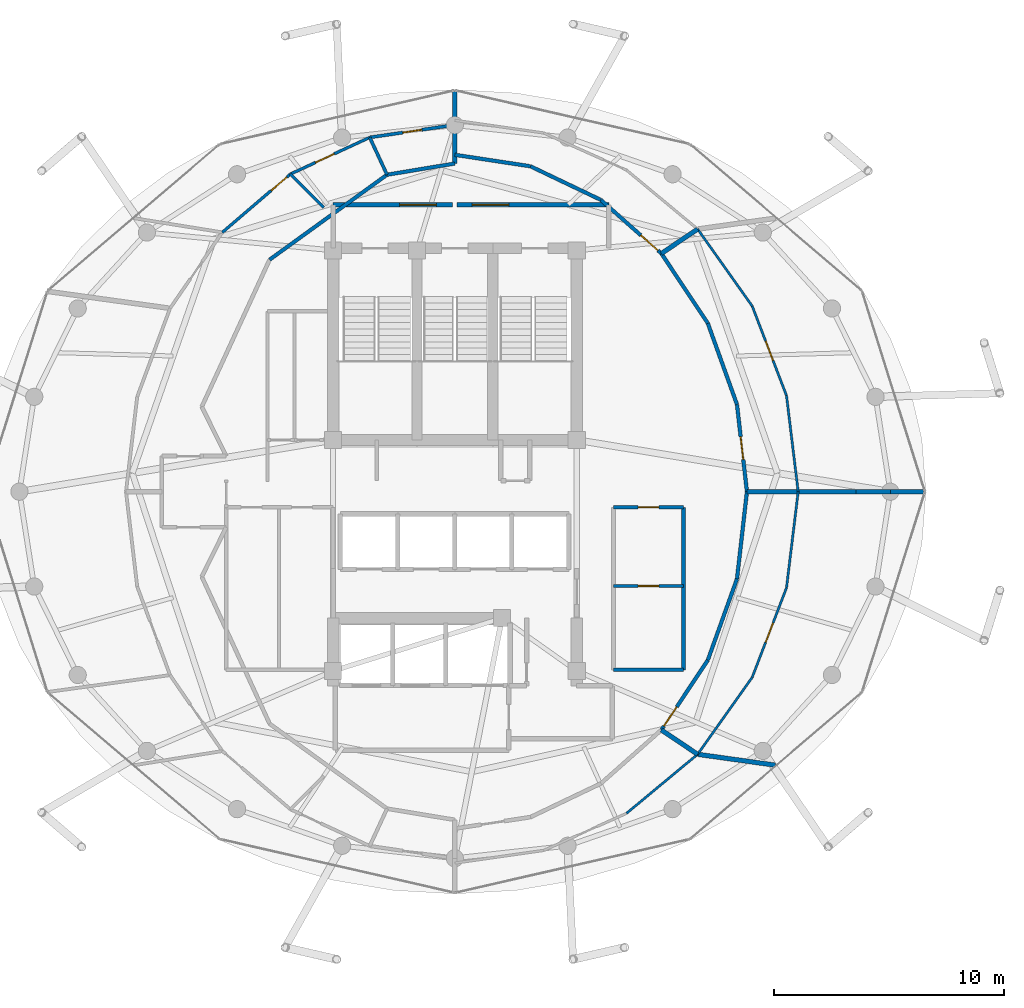
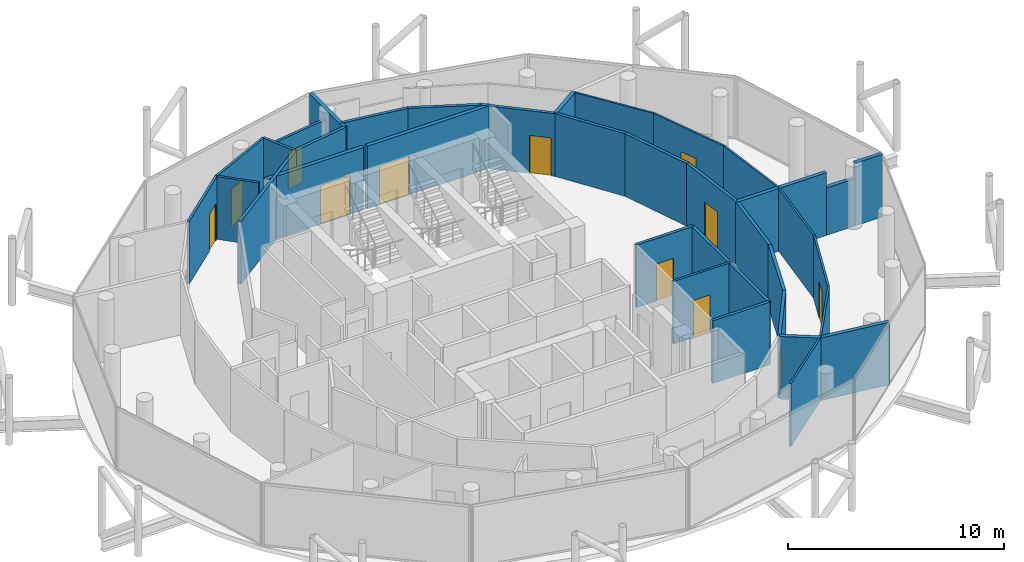
# One storey, part 22 of 24: 37 walls, 12 doors, 12 openings.
"""IFC4 building model written with IfcOpenShell, lengths in metres."""

from ifc_helpers import new_model, si_unit, direction, frame, frame_2d, origin, place, context, subcontext, project, spatial, rectangle, extrude, material, layer, layer_set, type_object, element, fill, save


model = new_model("IFC4")

# Units and contexts
model_context = context("Model", 3, precision=1e-05, world=origin(), true_north=direction((0.0, 1.0)))
body_context = subcontext(model_context, "Body", "Model", "MODEL_VIEW")
ifc_project = project(units=[si_unit("LENGTHUNIT", "METRE"), si_unit("AREAUNIT", "SQUARE_METRE"), si_unit("VOLUMEUNIT", "CUBIC_METRE"), si_unit("PLANEANGLEUNIT", "RADIAN"), si_unit("MASSUNIT", "GRAM", prefix="KILO")], contexts=[model_context])

# Site, building, storey
site_placement = place(None, origin())
site = spatial("IfcSite", under=ifc_project, at=site_placement, CompositionType="ELEMENT")
building_placement = place(site_placement, origin())
building = spatial("IfcBuilding", under=site, at=building_placement, Name="Nuhasar Tower", CompositionType="ELEMENT")
storey_placement = place(building_placement, frame((0.0, 0.0, 270.800048828125)))
storey = spatial("IfcBuildingStorey", under=building, at=storey_placement, Name="L67", CompositionType="ELEMENT", Elevation=270.800048828125)

# Walls
ifc_material_1 = material(Name="Gypsum Board", Category="gypsum")
ifc_layer_1 = layer(ifc_material_1, 0.159912109375)
ifc_layer_set_1 = layer_set([ifc_layer_1], Name="Gypsum Board")
wall_type_1 = type_object("IfcWallType", Name="WL-CORR-160", PredefinedType="PARTITIONING", material=ifc_layer_set_1)
wall_1_placement = place(storey_placement, frame((45.89990234375, 19.050048828125, 0.0), z_axis=(0.0, 0.0, 1.0), x_axis=(1.0, 0.0, 0.0)))
element("IfcWall", 1, at=wall_1_placement, inside=storey, type_object=wall_type_1, Name="L67 Interior Partition RECL-B2-S", PredefinedType="PARTITIONING", context=body_context, shape_type="SweptSolid", body=[
    extrude(rectangle(XDim=3.050048828125, YDim=0.159912109375, at=frame_2d((1.52490234375, 0.0))), origin(), (0.0, 0.0, 1.0), 3.5400390625),
])
wall_2_placement = place(storey_placement, frame((48.949951171875, 19.050048828125, 0.0), z_axis=(0.0, 0.0, 1.0), x_axis=(0.0, 1.0, 0.0)))
element("IfcWall", 2, at=wall_2_placement, inside=storey, type_object=wall_type_1, Name="L67 Interior Partition RECL-B2-E", PredefinedType="PARTITIONING", context=body_context, shape_type="SweptSolid", body=[
    extrude(rectangle(XDim=7.070068359375, YDim=0.159912109375, at=frame_2d((3.53515625, 0.0))), origin(), (0.0, 0.0, 1.0), 3.5400390625),
])

# Wall, opening, door
wall_3_placement = place(storey_placement, frame((48.949951171875, 26.1201171875, 0.0), z_axis=(0.0, 0.0, 1.0), x_axis=(-1.0, 0.0, 0.0)))
wall_3 = element("IfcWall", 3, at=wall_3_placement, inside=storey, type_object=wall_type_1, Name="L67 Interior Partition RECL-B2-N", PredefinedType="PARTITIONING", context=body_context, shape_type="SweptSolid", body=[
    extrude(rectangle(XDim=3.050048828125, YDim=0.159912109375, at=frame_2d((1.52490234375, 0.0))), origin(), (0.0, 0.0, 1.0), 3.5400390625),
])
opening_1_placement = place(wall_3_placement, frame((1.074951171875, 0.0, 0.0)))
opening_1 = element("IfcOpeningElement", 4, at=opening_1_placement, cuts=wall_3, Name="Opening DR-01", PredefinedType="OPENING", context=body_context, shape_type="SweptSolid", body=[
    extrude(rectangle(XDim=0.89990234375, YDim=2.10009765625, at=frame_2d((0.449951171875, 1.050048828125))), frame((0.0, 0.08984375, 0.0), z_axis=(0.0, -1.0, 0.0), x_axis=(1.0, 0.0, 0.0)), (0.0, 0.0, 1.0), 0.179931640625),
])
ifc_material_2 = material(Name="Timber Oak", Category="wood")
door_type_1 = type_object("IfcDoorType", Name="DR-ROOM-900", OperationType="NOTDEFINED", PredefinedType="DOOR", material=ifc_material_2)
door_1_placement = place(opening_1_placement, origin())
door_1 = element("IfcDoor", 5, at=door_1_placement, inside=storey, type_object=door_type_1, Name="L67 Utility Room Door", OperationType="SINGLE_SWING_LEFT", OverallHeight=2.10009765625, OverallWidth=0.89990234375, PredefinedType="DOOR", context=body_context, shape_type="SweptSolid", body=[
    extrude(rectangle(XDim=0.89990234375, YDim=2.10009765625, at=frame_2d((0.449951171875, 1.050048828125))), frame((0.0, 0.02490234375, 0.0), z_axis=(0.0, -1.0, 0.0), x_axis=(1.0, 0.0, 0.0)), (0.0, 0.0, 1.0), 0.050048828125),
])
fill(opening_1, door_1)

wall_4_placement = place(storey_placement, frame((50.007080078125, 19.469970703125, 0.0), z_axis=(0.0, 0.0, 1.0), x_axis=(-0.553958357067, -0.832544376376, 0.0)))
wall_4 = element("IfcWall", 6, at=wall_4_placement, inside=storey, type_object=wall_type_1, Name="L67 Interior Partition CORR-42", PredefinedType="PARTITIONING", context=body_context, shape_type="SweptSolid", body=[
    extrude(rectangle(XDim=3.646484375, YDim=0.159912109375, at=frame_2d((1.8232421875, 0.0))), origin(), (0.0, 0.0, 1.0), 3.5400390625),
])
opening_2_placement = place(wall_4_placement, frame((2.447021484375, 0.0, 0.0)))
opening_2 = element("IfcOpeningElement", 7, at=opening_2_placement, cuts=wall_4, Name="Opening DU-02", PredefinedType="OPENING", context=body_context, shape_type="SweptSolid", body=[
    extrude(rectangle(XDim=1.0, YDim=2.14990234375, at=frame_2d((0.5, 1.074951171875))), frame((0.0, 0.08984375, 0.0), z_axis=(0.0, -1.0, 0.0), x_axis=(1.0, 0.0, 0.0)), (0.0, 0.0, 1.0), 0.179931640625),
])
door_type_2 = type_object("IfcDoorType", Name="DR-FLAT-FD60-1000", OperationType="NOTDEFINED", PredefinedType="DOOR", material=ifc_material_2)
door_2_placement = place(opening_2_placement, origin())
door_2 = element("IfcDoor", 8, at=door_2_placement, inside=storey, type_object=door_type_2, Name="L67 Family Secretariat Office 2 Entrance Door", OperationType="SINGLE_SWING_RIGHT", OverallHeight=2.14990234375, OverallWidth=1.0, PredefinedType="DOOR", context=body_context, shape_type="SweptSolid", body=[
    extrude(rectangle(XDim=1.0, YDim=2.14990234375, at=frame_2d((0.5, 1.074951171875))), frame((0.0, 0.02490234375, 0.0), z_axis=(0.0, -1.0, 0.0), x_axis=(1.0, 0.0, 0.0)), (0.0, 0.0, 1.0), 0.050048828125),
])
fill(opening_2, door_2)

# Walls
wall_5_placement = place(storey_placement, frame((50.007080078125, 19.469970703125, 0.0), z_axis=(0.0, 0.0, 1.0), x_axis=(0.338015292257, 0.941140617655, 0.0)))
element("IfcWall", 9, at=wall_5_placement, inside=storey, type_object=wall_type_1, Name="L67 Interior Partition CORR-44", PredefinedType="PARTITIONING", context=body_context, shape_type="SweptSolid", body=[
    extrude(rectangle(XDim=3.75732421875, YDim=0.159912109375, at=frame_2d((1.878662109375, 0.0))), origin(), (0.0, 0.0, 1.0), 3.5400390625),
])
wall_6_placement = place(storey_placement, frame((51.277099609375, 23.006103515625, 0.0), z_axis=(0.0, 0.0, 1.0), x_axis=(0.113357256171, 0.993554292665, 0.0)))
element("IfcWall", 10, at=wall_6_placement, inside=storey, type_object=wall_type_1, Name="L67 Interior Partition CORR-46", PredefinedType="PARTITIONING", context=body_context, shape_type="SweptSolid", body=[
    extrude(rectangle(XDim=3.818603515625, YDim=0.159912109375, at=frame_2d((1.9091796875, 0.0))), origin(), (0.0, 0.0, 1.0), 3.5400390625),
])

# Wall, opening, door
wall_7_placement = place(storey_placement, frame((51.277099609375, 30.593994140625, 0.0), z_axis=(0.0, 0.0, 1.0), x_axis=(0.113357256171, -0.993554292665, 0.0)))
wall_7 = element("IfcWall", 11, at=wall_7_placement, inside=storey, type_object=wall_type_1, Name="L67 Interior Partition CORR-00", PredefinedType="PARTITIONING", context=body_context, shape_type="SweptSolid", body=[
    extrude(rectangle(XDim=3.818603515625, YDim=0.159912109375, at=frame_2d((1.9091796875, 0.0))), origin(), (0.0, 0.0, 1.0), 3.5400390625),
])
opening_3_placement = place(wall_7_placement, frame((1.408935546875, 0.0, 0.0)))
opening_3 = element("IfcOpeningElement", 12, at=opening_3_placement, cuts=wall_7, Name="Opening DU-02", PredefinedType="OPENING", context=body_context, shape_type="SweptSolid", body=[
    extrude(rectangle(XDim=1.0, YDim=2.14990234375, at=frame_2d((0.5, 1.074951171875))), frame((0.0, 0.08984375, 0.0), z_axis=(0.0, -1.0, 0.0), x_axis=(1.0, 0.0, 0.0)), (0.0, 0.0, 1.0), 0.179931640625),
])
door_3_placement = place(opening_3_placement, origin())
door_3 = element("IfcDoor", 13, at=door_3_placement, inside=storey, type_object=door_type_2, Name="L67 Investment Desk Office 3 Entrance Door", OperationType="SINGLE_SWING_RIGHT", OverallHeight=2.14990234375, OverallWidth=1.0, PredefinedType="DOOR", context=body_context, shape_type="SweptSolid", body=[
    extrude(rectangle(XDim=1.0, YDim=2.14990234375, at=frame_2d((0.5, 1.074951171875))), frame((0.0, 0.02490234375, 0.0), z_axis=(0.0, -1.0, 0.0), x_axis=(1.0, 0.0, 0.0)), (0.0, 0.0, 1.0), 0.050048828125),
])
fill(opening_3, door_3)

# Walls
wall_8_placement = place(storey_placement, frame((51.277099609375, 30.593994140625, 0.0), z_axis=(0.0, 0.0, 1.0), x_axis=(-0.338035964219, 0.941133192962, 0.0)))
element("IfcWall", 14, at=wall_8_placement, inside=storey, type_object=wall_type_1, Name="L67 Interior Partition CORR-02", PredefinedType="PARTITIONING", context=body_context, shape_type="SweptSolid", body=[
    extrude(rectangle(XDim=3.757080078125, YDim=0.159912109375, at=frame_2d((1.87841796875, 0.0))), origin(), (0.0, 0.0, 1.0), 3.5400390625),
])
wall_9_placement = place(storey_placement, frame((50.007080078125, 34.1298828125, 0.0), z_axis=(0.0, 0.0, 1.0), x_axis=(-0.553927480624, 0.832564920117, 0.0)))
element("IfcWall", 15, at=wall_9_placement, inside=storey, type_object=wall_type_1, Name="L67 Interior Partition CORR-04", PredefinedType="PARTITIONING", context=body_context, shape_type="SweptSolid", body=[
    extrude(rectangle(XDim=3.646728515625, YDim=0.159912109375, at=frame_2d((1.8232421875, 0.0))), origin(), (0.0, 0.0, 1.0), 3.5400390625),
])

# Wall, opening, door
wall_10_placement = place(storey_placement, frame((45.35498046875, 39.49609375, 0.0), z_axis=(0.0, 0.0, 1.0), x_axis=(0.748756574311, -0.662845074226, 0.0)))
wall_10 = element("IfcWall", 16, at=wall_10_placement, inside=storey, type_object=wall_type_1, Name="L67 Interior Partition CORR-06", PredefinedType="PARTITIONING", context=body_context, shape_type="SweptSolid", body=[
    extrude(rectangle(XDim=3.515380859375, YDim=0.159912109375, at=frame_2d((1.7578125, 0.0))), origin(), (0.0, 0.0, 1.0), 3.5400390625),
])
opening_4_placement = place(wall_10_placement, frame((2.31494140625, 0.0, 0.0)))
opening_4 = element("IfcOpeningElement", 17, at=opening_4_placement, cuts=wall_10, Name="Opening DU-02", PredefinedType="OPENING", context=body_context, shape_type="SweptSolid", body=[
    extrude(rectangle(XDim=1.0, YDim=2.14990234375, at=frame_2d((0.5, 1.074951171875))), frame((0.0, 0.08984375, 0.0), z_axis=(0.0, -1.0, 0.0), x_axis=(1.0, 0.0, 0.0)), (0.0, 0.0, 1.0), 0.179931640625),
])
door_4_placement = place(opening_4_placement, origin())
door_4 = element("IfcDoor", 18, at=door_4_placement, inside=storey, type_object=door_type_2, Name="L67 Diplomatic Briefing Room Entrance Door", OperationType="SINGLE_SWING_RIGHT", OverallHeight=2.14990234375, OverallWidth=1.0, PredefinedType="DOOR", context=body_context, shape_type="SweptSolid", body=[
    extrude(rectangle(XDim=1.0, YDim=2.14990234375, at=frame_2d((0.5, 1.074951171875))), frame((0.0, 0.02490234375, 0.0), z_axis=(0.0, -1.0, 0.0), x_axis=(1.0, 0.0, 0.0)), (0.0, 0.0, 1.0), 0.050048828125),
])
fill(opening_4, door_4)

# Walls
wall_11_placement = place(storey_placement, frame((45.35498046875, 39.49609375, 0.0), z_axis=(0.0, 0.0, 1.0), x_axis=(-0.902360348414, 0.430982368097, 0.0)))
element("IfcWall", 19, at=wall_11_placement, inside=storey, type_object=wall_type_1, Name="L67 Interior Partition CORR-08", PredefinedType="PARTITIONING", context=body_context, shape_type="SweptSolid", body=[
    extrude(rectangle(XDim=3.396484375, YDim=0.159912109375, at=frame_2d((1.6982421875, 0.0))), origin(), (0.0, 0.0, 1.0), 3.5400390625),
])
wall_12_placement = place(storey_placement, frame((42.2900390625, 40.9599609375, 0.0), z_axis=(0.0, 0.0, 1.0), x_axis=(-0.988648231668, 0.150248707217, 0.0)))
element("IfcWall", 20, at=wall_12_placement, inside=storey, type_object=wall_type_1, Name="L67 Interior Partition CORR-10", PredefinedType="PARTITIONING", context=body_context, shape_type="SweptSolid", body=[
    extrude(rectangle(XDim=3.327880859375, YDim=0.159912109375, at=frame_2d((1.6640625, 0.0))), origin(), (0.0, 0.0, 1.0), 3.5400390625),
])
wall_13_placement = place(storey_placement, frame((39.0, 41.080078125, 0.0), z_axis=(0.0, 0.0, 1.0), x_axis=(-0.986650832406, -0.162850038111, 0.0)))
element("IfcWall", 21, at=wall_13_placement, inside=storey, type_object=wall_type_1, Name="L67 Interior Partition UWEST-CORE-N1-12", PredefinedType="PARTITIONING", context=body_context, shape_type="SweptSolid", body=[
    extrude(rectangle(XDim=2.990966796875, YDim=0.159912109375, at=frame_2d((1.49560546875, 0.0))), origin(), (0.0, 0.0, 1.0), 3.5400390625),
])
wall_14_placement = place(storey_placement, frame((36.049072265625, 40.593017578125, 0.0), z_axis=(0.0, 0.0, 1.0), x_axis=(-0.810271736342, -0.58605436035, 0.0)))
element("IfcWall", 22, at=wall_14_placement, inside=storey, type_object=wall_type_1, Name="L67 Interior Partition UWEST-CORE-N2-14", PredefinedType="PARTITIONING", context=body_context, shape_type="SweptSolid", body=[
    extrude(rectangle(XDim=6.306640625, YDim=0.159912109375, at=frame_2d((3.1533203125, 0.0))), origin(), (0.0, 0.0, 1.0), 3.5400390625),
])

# Wall, opening, door
ifc_material_3 = material(Name="Concrete C45/55", Category="concrete")
ifc_layer_2 = layer(ifc_material_3, 0.199951171875)
ifc_layer_set_2 = layer_set([ifc_layer_2], Name="Concrete C45/55")
wall_type_2 = type_object("IfcWallType", Name="WL-LOBBY-200", PredefinedType="SOLIDWALL", material=ifc_layer_set_2)
wall_15_placement = place(storey_placement, frame((38.89990234375, 39.280029296875, 0.0), z_axis=(0.0, 0.0, 1.0), x_axis=(-1.0, 0.0, 0.0)))
wall_15 = element("IfcWall", 23, at=wall_15_placement, inside=storey, type_object=wall_type_2, Name="L67 Interior Partition NSL-N1", PredefinedType="SOLIDWALL", context=body_context, shape_type="SweptSolid", body=[
    extrude(rectangle(XDim=5.199951171875, YDim=0.199951171875, at=frame_2d((2.60009765625, 0.0))), origin(), (0.0, 0.0, 1.0), 3.5400390625),
])
opening_5_placement = place(wall_15_placement, frame((0.7080078125, 0.0, 0.0)))
opening_5 = element("IfcOpeningElement", 24, at=opening_5_placement, cuts=wall_15, Name="Opening DC-01", PredefinedType="OPENING", context=body_context, shape_type="SweptSolid", body=[
    extrude(rectangle(XDim=1.60009765625, YDim=2.199951171875, at=frame_2d((0.800048828125, 1.10009765625))), frame((0.0, 0.10986328125, 0.0), z_axis=(0.0, -1.0, 0.0), x_axis=(1.0, 0.0, 0.0)), (0.0, 0.0, 1.0), 0.219970703125),
])
ifc_material_4 = material(Name="Steel S355", Category="steel")
door_type_3 = type_object("IfcDoorType", Name="DR-CORR-FD60-1600", OperationType="DOUBLE_DOOR_SINGLE_SWING", PredefinedType="DOOR", material=ifc_material_4)
door_5_placement = place(opening_5_placement, origin())
door_5 = element("IfcDoor", 25, at=door_5_placement, inside=storey, type_object=door_type_3, Name="L67 North Stair Lobby West Door", OperationType="DOUBLE_DOOR_SINGLE_SWING", OverallHeight=2.199951171875, OverallWidth=1.60009765625, PredefinedType="DOOR", context=body_context, shape_type="SweptSolid", body=[
    extrude(rectangle(XDim=1.60009765625, YDim=2.199951171875, at=frame_2d((0.800048828125, 1.10009765625))), frame((0.0, 0.02490234375, 0.0), z_axis=(0.0, -1.0, 0.0), x_axis=(1.0, 0.0, 0.0)), (0.0, 0.0, 1.0), 0.050048828125),
])
fill(opening_5, door_5)

wall_16_placement = place(storey_placement, frame((45.699951171875, 39.280029296875, 0.0), z_axis=(0.0, 0.0, 1.0), x_axis=(-1.0, 0.0, 0.0)))
wall_16 = element("IfcWall", 26, at=wall_16_placement, inside=storey, type_object=wall_type_2, Name="L67 Interior Partition NSL-N2", PredefinedType="SOLIDWALL", context=body_context, shape_type="SweptSolid", body=[
    extrude(rectangle(XDim=6.599853515625, YDim=0.199951171875, at=frame_2d((3.2998046875, 0.0))), origin(), (0.0, 0.0, 1.0), 3.5400390625),
])
opening_6_placement = place(wall_16_placement, frame((4.35009765625, 0.0, 0.0)))
opening_6 = element("IfcOpeningElement", 27, at=opening_6_placement, cuts=wall_16, Name="Opening DC-01", PredefinedType="OPENING", context=body_context, shape_type="SweptSolid", body=[
    extrude(rectangle(XDim=1.60009765625, YDim=2.199951171875, at=frame_2d((0.800048828125, 1.10009765625))), frame((0.0, 0.10986328125, 0.0), z_axis=(0.0, -1.0, 0.0), x_axis=(1.0, 0.0, 0.0)), (0.0, 0.0, 1.0), 0.219970703125),
])
door_6_placement = place(opening_6_placement, origin())
door_6 = element("IfcDoor", 28, at=door_6_placement, inside=storey, type_object=door_type_3, Name="L67 North Stair Lobby East Door", OperationType="DOUBLE_DOOR_SINGLE_SWING", OverallHeight=2.199951171875, OverallWidth=1.60009765625, PredefinedType="DOOR", context=body_context, shape_type="SweptSolid", body=[
    extrude(rectangle(XDim=1.60009765625, YDim=2.199951171875, at=frame_2d((0.800048828125, 1.10009765625))), frame((0.0, 0.02490234375, 0.0), z_axis=(0.0, -1.0, 0.0), x_axis=(1.0, 0.0, 0.0)), (0.0, 0.0, 1.0), 0.050048828125),
])
fill(opening_6, door_6)

# Walls
ifc_material_5 = material(Name="Aluminium 6063-T6", Category="aluminium")
ifc_layer_3 = layer(ifc_material_5, 0.10009765625)
ifc_layer_set_3 = layer_set([ifc_layer_3], Name="Aluminium 6063-T6")
wall_type_3 = type_object("IfcWallType", Name="WL-MOVABLE-100", PredefinedType="MOVABLE", material=ifc_layer_set_3)
wall_17_placement = place(storey_placement, frame((46.469970703125, 12.804931640625, 0.0), z_axis=(0.0, 0.0, 1.0), x_axis=(0.769468998704, 0.638684162974, 0.0)))
element("IfcWall", 29, at=wall_17_placement, inside=storey, type_object=wall_type_3, Name="L67 Interior Partition UMID5-01-40", PredefinedType="MOVABLE", context=body_context, shape_type="SweptSolid", body=[
    extrude(rectangle(XDim=4.02099609375, YDim=0.10009765625, at=frame_2d((2.010498046875, 0.0))), origin(), (0.0, 0.0, 1.0), 3.5400390625),
])
wall_18_placement = place(storey_placement, frame((49.56396484375, 15.373046875, 0.0), z_axis=(0.0, 0.0, 1.0), x_axis=(0.578550422028, 0.815646620278, 0.0)))
element("IfcWall", 30, at=wall_18_placement, inside=storey, type_object=wall_type_3, Name="L67 Interior Partition UMID5-02-42", PredefinedType="MOVABLE", context=body_context, shape_type="SweptSolid", body=[
    extrude(rectangle(XDim=4.103515625, YDim=0.10009765625, at=frame_2d((2.0517578125, 0.0))), origin(), (0.0, 0.0, 1.0), 3.5400390625),
])

# Wall, opening, door
wall_19_placement = place(storey_placement, frame((51.93798828125, 18.719970703125, 0.0), z_axis=(0.0, 0.0, 1.0), x_axis=(0.357743876103, 0.933819746584, 0.0)))
wall_19 = element("IfcWall", 31, at=wall_19_placement, inside=storey, type_object=wall_type_3, Name="L67 Interior Partition UMID5-02-44", PredefinedType="MOVABLE", context=body_context, shape_type="SweptSolid", body=[
    extrude(rectangle(XDim=4.173095703125, YDim=0.10009765625, at=frame_2d((2.08642578125, 0.0))), origin(), (0.0, 0.0, 1.0), 3.5400390625),
])
opening_7_placement = place(wall_19_placement, frame((1.636962890625, 0.0, 0.0)))
opening_7 = element("IfcOpeningElement", 32, at=opening_7_placement, cuts=wall_19, Name="Opening DR-01", PredefinedType="OPENING", context=body_context, shape_type="SweptSolid", body=[
    extrude(rectangle(XDim=0.89990234375, YDim=2.10009765625, at=frame_2d((0.449951171875, 1.050048828125))), frame((0.0, 0.06005859375, 0.0), z_axis=(0.0, -1.0, 0.0), x_axis=(1.0, 0.0, 0.0)), (0.0, 0.0, 1.0), 0.1201171875),
])
door_7_placement = place(opening_7_placement, origin())
door_7 = element("IfcDoor", 33, at=door_7_placement, inside=storey, type_object=door_type_1, Name="L67 Family Secretariat Office 2 Inner Door", OperationType="SINGLE_SWING_RIGHT", OverallHeight=2.10009765625, OverallWidth=0.89990234375, PredefinedType="DOOR", context=body_context, shape_type="SweptSolid", body=[
    extrude(rectangle(XDim=0.89990234375, YDim=2.10009765625, at=frame_2d((0.449951171875, 1.050048828125))), frame((0.0, 0.02490234375, 0.0), z_axis=(0.0, -1.0, 0.0), x_axis=(1.0, 0.0, 0.0)), (0.0, 0.0, 1.0), 0.050048828125),
])
fill(opening_7, door_7)

# Walls
wall_20_placement = place(storey_placement, frame((53.430908203125, 22.616943359375, 0.0), z_axis=(0.0, 0.0, 1.0), x_axis=(0.120796783092, 0.992677257317, 0.0)))
element("IfcWall", 34, at=wall_20_placement, inside=storey, type_object=wall_type_3, Name="L67 Interior Partition UMID5-02-46", PredefinedType="MOVABLE", context=body_context, shape_type="SweptSolid", body=[
    extrude(rectangle(XDim=4.2138671875, YDim=0.10009765625, at=frame_2d((2.10693359375, 0.0))), origin(), (0.0, 0.0, 1.0), 3.5400390625),
])
wall_21_placement = place(storey_placement, frame((53.93994140625, 26.800048828125, 0.0), z_axis=(0.0, 0.0, 1.0), x_axis=(-0.120803730736, 0.992676411848, 0.0)))
element("IfcWall", 35, at=wall_21_placement, inside=storey, type_object=wall_type_3, Name="L67 Interior Partition UMID5-03-00", PredefinedType="MOVABLE", context=body_context, shape_type="SweptSolid", body=[
    extrude(rectangle(XDim=4.213623046875, YDim=0.10009765625, at=frame_2d((2.10693359375, 0.0))), origin(), (0.0, 0.0, 1.0), 3.5400390625),
])

# Wall, opening, door
wall_22_placement = place(storey_placement, frame((53.430908203125, 30.98291015625, 0.0), z_axis=(0.0, 0.0, 1.0), x_axis=(-0.357743876103, 0.933819746584, 0.0)))
wall_22 = element("IfcWall", 36, at=wall_22_placement, inside=storey, type_object=wall_type_3, Name="L67 Interior Partition UMID5-03-02", PredefinedType="MOVABLE", context=body_context, shape_type="SweptSolid", body=[
    extrude(rectangle(XDim=4.173095703125, YDim=0.10009765625, at=frame_2d((2.08642578125, 0.0))), origin(), (0.0, 0.0, 1.0), 3.5400390625),
])
opening_8_placement = place(wall_22_placement, frame((1.636962890625, 0.0, 0.0)))
opening_8 = element("IfcOpeningElement", 37, at=opening_8_placement, cuts=wall_22, Name="Opening DR-01", PredefinedType="OPENING", context=body_context, shape_type="SweptSolid", body=[
    extrude(rectangle(XDim=0.89990234375, YDim=2.10009765625, at=frame_2d((0.449951171875, 1.050048828125))), frame((0.0, 0.06005859375, 0.0), z_axis=(0.0, -1.0, 0.0), x_axis=(1.0, 0.0, 0.0)), (0.0, 0.0, 1.0), 0.1201171875),
])
door_8_placement = place(opening_8_placement, origin())
door_8 = element("IfcDoor", 38, at=door_8_placement, inside=storey, type_object=door_type_1, Name="L67 Investment Desk Office 3 Inner Door", OperationType="SINGLE_SWING_LEFT", OverallHeight=2.10009765625, OverallWidth=0.89990234375, PredefinedType="DOOR", context=body_context, shape_type="SweptSolid", body=[
    extrude(rectangle(XDim=0.89990234375, YDim=2.10009765625, at=frame_2d((0.449951171875, 1.050048828125))), frame((0.0, 0.02490234375, 0.0), z_axis=(0.0, -1.0, 0.0), x_axis=(1.0, 0.0, 0.0)), (0.0, 0.0, 1.0), 0.050048828125),
])
fill(opening_8, door_8)

# Wall
wall_23_placement = place(storey_placement, frame((51.93798828125, 34.8798828125, 0.0), z_axis=(0.0, 0.0, 1.0), x_axis=(-0.578522346771, 0.815666533754, 0.0)))
element("IfcWall", 39, at=wall_23_placement, inside=storey, type_object=wall_type_3, Name="L67 Interior Partition UMID5-03-04", PredefinedType="MOVABLE", context=body_context, shape_type="SweptSolid", body=[
    extrude(rectangle(XDim=4.103515625, YDim=0.10009765625, at=frame_2d((2.0517578125, 0.0))), origin(), (0.0, 0.0, 1.0), 3.5400390625),
])

# Wall, opening, door
ifc_layer_4 = layer(ifc_material_1, 0.125)
ifc_layer_set_4 = layer_set([ifc_layer_4], Name="Gypsum Board")
wall_type_4 = type_object("IfcWallType", Name="WL-PART-125", PredefinedType="PARTITIONING", material=ifc_layer_set_4)
wall_24_placement = place(storey_placement, frame((48.949951171875, 22.699951171875, 0.0), z_axis=(0.0, 0.0, 1.0), x_axis=(-1.0, 0.0, 0.0)))
wall_24 = element("IfcWall", 40, at=wall_24_placement, inside=storey, type_object=wall_type_4, Name="L67 Interior Partition RECL-B2-M", PredefinedType="PARTITIONING", context=body_context, shape_type="SweptSolid", body=[
    extrude(rectangle(XDim=3.050048828125, YDim=0.125, at=frame_2d((1.52490234375, 0.0))), origin(), (0.0, 0.0, 1.0), 3.5400390625),
])
opening_9_placement = place(wall_24_placement, frame((1.074951171875, 0.0, 0.0)))
opening_9 = element("IfcOpeningElement", 41, at=opening_9_placement, cuts=wall_24, Name="Opening DR-01", PredefinedType="OPENING", context=body_context, shape_type="SweptSolid", body=[
    extrude(rectangle(XDim=0.89990234375, YDim=2.10009765625, at=frame_2d((0.449951171875, 1.050048828125))), frame((0.0, 0.072509765625, 0.0), z_axis=(0.0, -1.0, 0.0), x_axis=(1.0, 0.0, 0.0)), (0.0, 0.0, 1.0), 0.14501953125),
])
door_9_placement = place(opening_9_placement, origin())
door_9 = element("IfcDoor", 42, at=door_9_placement, inside=storey, type_object=door_type_1, Name="L67 Inner Vault Door", OperationType="SINGLE_SWING_RIGHT", OverallHeight=2.10009765625, OverallWidth=0.89990234375, PredefinedType="DOOR", context=body_context, shape_type="SweptSolid", body=[
    extrude(rectangle(XDim=0.89990234375, YDim=2.10009765625, at=frame_2d((0.449951171875, 1.050048828125))), frame((0.0, 0.02490234375, 0.0), z_axis=(0.0, -1.0, 0.0), x_axis=(1.0, 0.0, 0.0)), (0.0, 0.0, 1.0), 0.050048828125),
])
fill(opening_9, door_9)

# Wall
wall_25_placement = place(storey_placement, frame((33.300048828125, 39.1669921875, 0.0), z_axis=(0.0, 0.0, 1.0), x_axis=(-0.707106781187, 0.707106781187, 0.0)))
element("IfcWall", 43, at=wall_25_placement, inside=storey, type_object=wall_type_4, Name="L67 Interior Partition USI-1-KD", PredefinedType="PARTITIONING", context=body_context, shape_type="SweptSolid", body=[
    extrude(rectangle(XDim=2.057861328125, YDim=0.125, at=frame_2d((1.02880859375, 0.0))), origin(), (0.0, 0.0, 1.0), 3.5400390625),
])

# Wall, opening, door
wall_26_placement = place(storey_placement, frame((31.844970703125, 40.6220703125, 0.0), z_axis=(0.0, 0.0, 1.0), x_axis=(0.907833398029, 0.419331040377, 0.0)))
wall_26 = element("IfcWall", 44, at=wall_26_placement, inside=storey, type_object=wall_type_4, Name="L67 Interior Partition USM-1-K-14", PredefinedType="PARTITIONING", context=body_context, shape_type="SweptSolid", body=[
    extrude(rectangle(XDim=3.80126953125, YDim=0.125, at=frame_2d((1.900634765625, 0.0))), origin(), (0.0, 0.0, 1.0), 3.5400390625),
])
opening_10_placement = place(wall_26_placement, frame((1.199951171875, 0.0, 0.0)))
opening_10 = element("IfcOpeningElement", 45, at=opening_10_placement, cuts=wall_26, Name="Opening DR-01", PredefinedType="OPENING", context=body_context, shape_type="SweptSolid", body=[
    extrude(rectangle(XDim=0.89990234375, YDim=2.10009765625, at=frame_2d((0.449951171875, 1.050048828125))), frame((0.0, 0.072509765625, 0.0), z_axis=(0.0, -1.0, 0.0), x_axis=(1.0, 0.0, 0.0)), (0.0, 0.0, 1.0), 0.14501953125),
])
door_10_placement = place(opening_10_placement, origin())
door_10 = element("IfcDoor", 46, at=door_10_placement, inside=storey, type_object=door_type_1, Name="L67 North-West Sky Home Kitchen Door", OperationType="SINGLE_SWING_LEFT", OverallHeight=2.10009765625, OverallWidth=0.89990234375, PredefinedType="DOOR", context=body_context, shape_type="SweptSolid", body=[
    extrude(rectangle(XDim=0.89990234375, YDim=2.10009765625, at=frame_2d((0.449951171875, 1.050048828125))), frame((0.0, 0.02490234375, 0.0), z_axis=(0.0, -1.0, 0.0), x_axis=(1.0, 0.0, 0.0)), (0.0, 0.0, 1.0), 0.050048828125),
])
fill(opening_10, door_10)

wall_27_placement = place(storey_placement, frame((28.881103515625, 38.0849609375, 0.0), z_axis=(0.0, 0.0, 1.0), x_axis=(0.759680489992, 0.650296511697, 0.0)))
wall_27 = element("IfcWall", 47, at=wall_27_placement, inside=storey, type_object=wall_type_4, Name="L67 Interior Partition USM-1-D-16", PredefinedType="PARTITIONING", context=body_context, shape_type="SweptSolid", body=[
    extrude(rectangle(XDim=3.9013671875, YDim=0.125, at=frame_2d((1.95068359375, 0.0))), origin(), (0.0, 0.0, 1.0), 3.5400390625),
])
opening_11_placement = place(wall_27_placement, frame((2.801025390625, 0.0, 0.0)))
opening_11 = element("IfcOpeningElement", 48, at=opening_11_placement, cuts=wall_27, Name="Opening DR-01", PredefinedType="OPENING", context=body_context, shape_type="SweptSolid", body=[
    extrude(rectangle(XDim=0.89990234375, YDim=2.10009765625, at=frame_2d((0.449951171875, 1.050048828125))), frame((0.0, 0.072509765625, 0.0), z_axis=(0.0, -1.0, 0.0), x_axis=(1.0, 0.0, 0.0)), (0.0, 0.0, 1.0), 0.14501953125),
])
door_11_placement = place(opening_11_placement, origin())
door_11 = element("IfcDoor", 49, at=door_11_placement, inside=storey, type_object=door_type_1, Name="L67 North-West Sky Home Master Bedroom Door", OperationType="SINGLE_SWING_RIGHT", OverallHeight=2.10009765625, OverallWidth=0.89990234375, PredefinedType="DOOR", context=body_context, shape_type="SweptSolid", body=[
    extrude(rectangle(XDim=0.89990234375, YDim=2.10009765625, at=frame_2d((0.449951171875, 1.050048828125))), frame((0.0, 0.02490234375, 0.0), z_axis=(0.0, -1.0, 0.0), x_axis=(1.0, 0.0, 0.0)), (0.0, 0.0, 1.0), 0.050048828125),
])
fill(opening_11, door_11)

# Walls
ifc_material_6 = material(Name="Concrete C40/50 precast", Category="concrete")
ifc_layer_5 = layer(ifc_material_6, 0.199951171875)
ifc_layer_set_5 = layer_set([ifc_layer_5], Name="Concrete C40/50 precast")
wall_type_5 = type_object("IfcWallType", Name="WL-UNIT-200", PredefinedType="PARTITIONING", material=ifc_layer_set_5)
wall_28_placement = place(storey_placement, frame((39.0, 41.080078125, 0.0), z_axis=(0.0, 0.0, 1.0), x_axis=(0.0, 1.0, 0.0)))
element("IfcWall", 50, at=wall_28_placement, inside=storey, type_object=wall_type_5, Name="L67 Interior Partition URAD-12-NW", PredefinedType="PARTITIONING", context=body_context, shape_type="SweptSolid", body=[
    extrude(rectangle(XDim=3.14501953125, YDim=0.199951171875, at=frame_2d((1.572509765625, 0.0))), origin(), (0.0, 0.0, 1.0), 3.5400390625),
])
wall_29_placement = place(storey_placement, frame((47.987060546875, 16.43408203125, 0.0), z_axis=(0.0, 0.0, 1.0), x_axis=(0.829671269714, -0.558252258581, 0.0)))
element("IfcWall", 51, at=wall_29_placement, inside=storey, type_object=wall_type_5, Name="L67 Interior Partition URAD5-42-S1", PredefinedType="PARTITIONING", context=body_context, shape_type="SweptSolid", body=[
    extrude(rectangle(XDim=1.900634765625, YDim=0.199951171875, at=frame_2d((0.9501953125, 0.0))), origin(), (0.0, 0.0, 1.0), 3.5400390625),
])
wall_30_placement = place(storey_placement, frame((49.56396484375, 15.373046875, 0.0), z_axis=(0.0, 0.0, 1.0), x_axis=(0.99034390299, -0.138632441405, 0.0)))
element("IfcWall", 52, at=wall_30_placement, inside=storey, type_object=wall_type_5, Name="L67 Interior Partition URAD5-42-S2", PredefinedType="PARTITIONING", context=body_context, shape_type="SweptSolid", body=[
    extrude(rectangle(XDim=3.419921875, YDim=0.199951171875, at=frame_2d((1.7099609375, 0.0))), origin(), (0.0, 0.0, 1.0), 3.5400390625),
])
wall_31_placement = place(storey_placement, frame((51.7099609375, 26.800048828125, 0.0), z_axis=(0.0, 0.0, 1.0), x_axis=(1.0, 0.0, 0.0)))
element("IfcWall", 53, at=wall_31_placement, inside=storey, type_object=wall_type_5, Name="L67 Interior Partition URAD5-00-S1", PredefinedType="PARTITIONING", context=body_context, shape_type="SweptSolid", body=[
    extrude(rectangle(XDim=2.22998046875, YDim=0.199951171875, at=frame_2d((1.114990234375, 0.0))), origin(), (0.0, 0.0, 1.0), 3.5400390625),
])
wall_32_placement = place(storey_placement, frame((53.93994140625, 26.800048828125, 0.0), z_axis=(0.0, 0.0, 1.0), x_axis=(1.0, 0.0, 0.0)))
element("IfcWall", 54, at=wall_32_placement, inside=storey, type_object=wall_type_5, Name="L67 Interior Partition URAD5-00-S2", PredefinedType="PARTITIONING", context=body_context, shape_type="SweptSolid", body=[
    extrude(rectangle(XDim=2.506103515625, YDim=0.199951171875, at=frame_2d((1.2529296875, 0.0))), origin(), (0.0, 0.0, 1.0), 3.5400390625),
])
wall_33_placement = place(storey_placement, frame((56.446044921875, 26.800048828125, 0.0), z_axis=(0.0, 0.0, 1.0), x_axis=(1.0, 0.0, 0.0)))
element("IfcWall", 55, at=wall_33_placement, inside=storey, type_object=wall_type_5, Name="L67 Interior Partition URAD5-00-S2", PredefinedType="PARTITIONING", context=body_context, shape_type="SweptSolid", body=[
    extrude(rectangle(XDim=1.52001953125, YDim=0.199951171875, at=frame_2d((0.760009765625, 0.0))), origin(), (0.0, 0.0, 1.0), 2.679931640625),
])
wall_34_placement = place(storey_placement, frame((57.966064453125, 26.800048828125, 0.0), z_axis=(0.0, 0.0, 1.0), x_axis=(1.0, 0.0, 0.0)))
element("IfcWall", 56, at=wall_34_placement, inside=storey, type_object=wall_type_5, Name="L67 Interior Partition URAD5-00-S2", PredefinedType="PARTITIONING", context=body_context, shape_type="SweptSolid", body=[
    extrude(rectangle(XDim=1.458984375, YDim=0.199951171875, at=frame_2d((0.7294921875, 0.0))), origin(), (0.0, 0.0, 1.0), 3.5400390625),
])
wall_35_placement = place(storey_placement, frame((47.987060546875, 37.166015625, 0.0), z_axis=(0.0, 0.0, 1.0), x_axis=(0.829671269714, 0.558252258581, 0.0)))
element("IfcWall", 57, at=wall_35_placement, inside=storey, type_object=wall_type_5, Name="L67 Interior Partition URAD5-06-S1", PredefinedType="PARTITIONING", context=body_context, shape_type="SweptSolid", body=[
    extrude(rectangle(XDim=1.900634765625, YDim=0.199951171875, at=frame_2d((0.9501953125, 0.0))), origin(), (0.0, 0.0, 1.0), 3.5400390625),
])
ifc_layer_6 = layer(ifc_material_6, 0.139892578125)
ifc_layer_set_6 = layer_set([ifc_layer_6], Name="Concrete C40/50 precast")
wall_type_6 = type_object("IfcWallType", Name="WL-WET-140", PredefinedType="PARTITIONING", material=ifc_layer_set_6)
wall_36_placement = place(storey_placement, frame((36.049072265625, 40.593017578125, 0.0), z_axis=(0.0, 0.0, 1.0), x_axis=(-0.420934907021, 0.907090846636, 0.0)))
element("IfcWall", 58, at=wall_36_placement, inside=storey, type_object=wall_type_6, Name="L67 Interior Partition USI-1-BK", PredefinedType="PARTITIONING", context=body_context, shape_type="SweptSolid", body=[
    extrude(rectangle(XDim=1.789306640625, YDim=0.139892578125, at=frame_2d((0.89453125, 0.0))), origin(), (0.0, 0.0, 1.0), 3.5400390625),
])

# Wall, opening, door
wall_37_placement = place(storey_placement, frame((35.2958984375, 42.216064453125, 0.0), z_axis=(0.0, 0.0, 1.0), x_axis=(0.989388931872, 0.145291229911, 0.0)))
wall_37 = element("IfcWall", 59, at=wall_37_placement, inside=storey, type_object=wall_type_6, Name="L67 Interior Partition USM-1-B-12", PredefinedType="PARTITIONING", context=body_context, shape_type="SweptSolid", body=[
    extrude(rectangle(XDim=3.743896484375, YDim=0.139892578125, at=frame_2d((1.8720703125, 0.0))), origin(), (0.0, 0.0, 1.0), 3.0),
])
opening_12_placement = place(wall_37_placement, frame((1.447021484375, 0.0, 0.0)))
opening_12 = element("IfcOpeningElement", 60, at=opening_12_placement, cuts=wall_37, Name="Opening DB-01", PredefinedType="OPENING", context=body_context, shape_type="SweptSolid", body=[
    extrude(rectangle(XDim=0.85009765625, YDim=2.10009765625, at=frame_2d((0.425048828125, 1.050048828125))), frame((0.0, 0.080078125, 0.0), z_axis=(0.0, -1.0, 0.0), x_axis=(1.0, 0.0, 0.0)), (0.0, 0.0, 1.0), 0.159912109375),
])
door_type_4 = type_object("IfcDoorType", Name="DR-BATH-850", OperationType="NOTDEFINED", PredefinedType="DOOR", material=ifc_material_2)
door_12_placement = place(opening_12_placement, origin())
door_12 = element("IfcDoor", 61, at=door_12_placement, inside=storey, type_object=door_type_4, Name="L67 North-West Sky Home En-Suite Door", OperationType="SINGLE_SWING_LEFT", OverallHeight=2.10009765625, OverallWidth=0.85009765625, PredefinedType="DOOR", context=body_context, shape_type="SweptSolid", body=[
    extrude(rectangle(XDim=0.85009765625, YDim=2.10009765625, at=frame_2d((0.425048828125, 1.050048828125))), frame((0.0, 0.02490234375, 0.0), z_axis=(0.0, -1.0, 0.0), x_axis=(1.0, 0.0, 0.0)), (0.0, 0.0, 1.0), 0.050048828125),
])
fill(opening_12, door_12)

save(model, "model.ifc")
